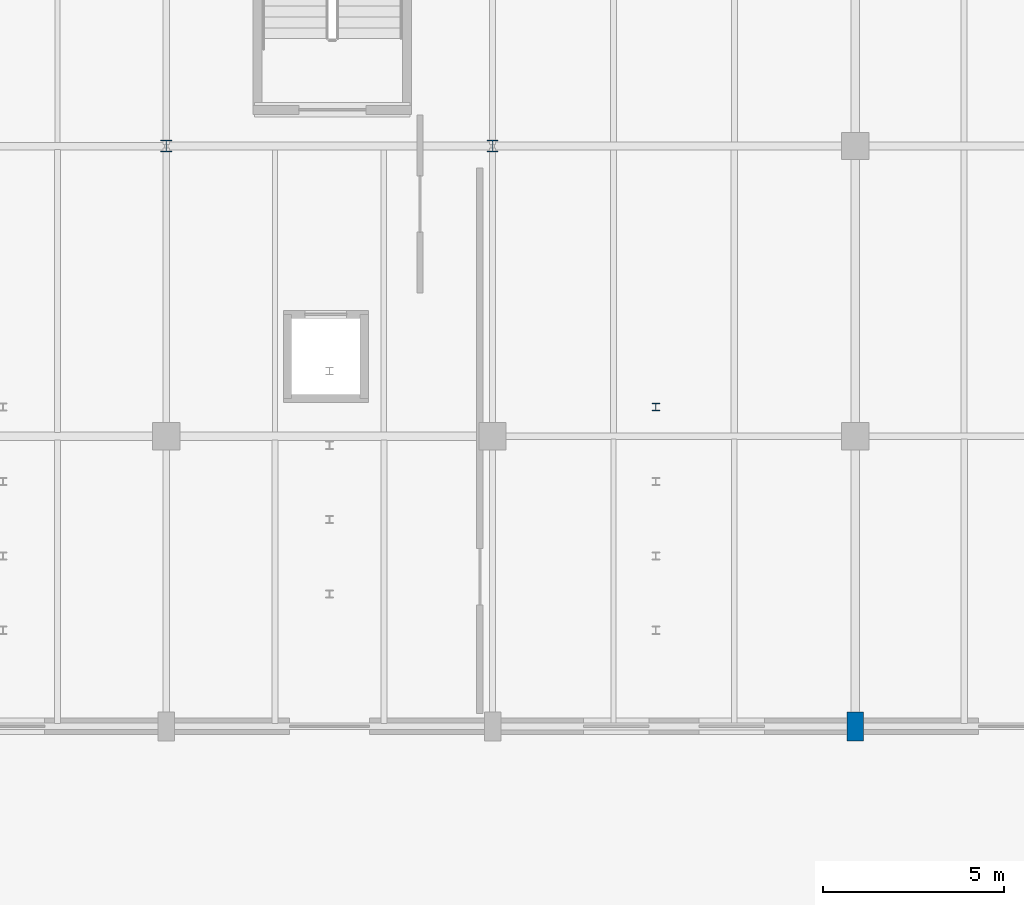
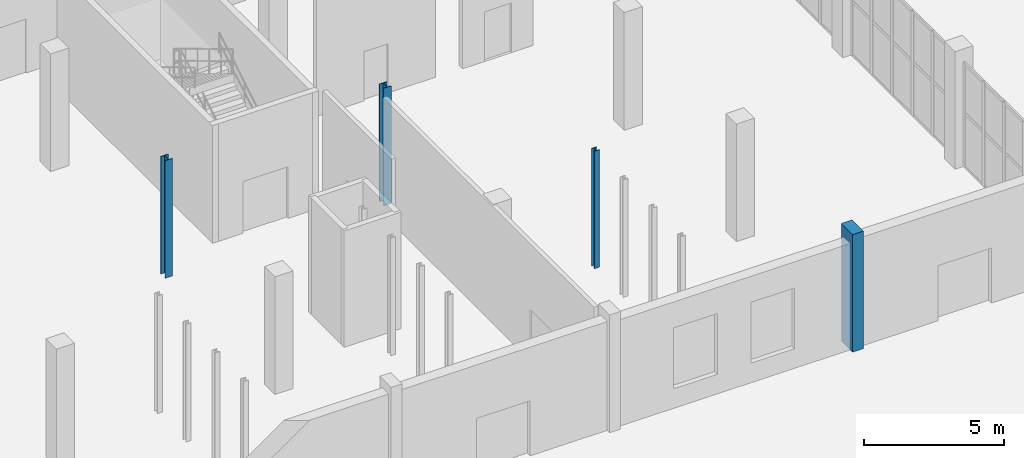
# One storey, part 4 of 103: 4 columns.
"""IFC4 building model written with IfcOpenShell, lengths in metres."""

from ifc_helpers import new_model, si_unit, direction, frame, origin, origin_2d, place, context, subcontext, project, spatial, rectangle, i_section, extrude, material, material_profile, profile_set, type_object, element, save


model = new_model("IFC4")

# Units and contexts
model_context = context("Model", 3, precision=1e-05, world=origin(), true_north=direction((0.0, 1.0)))
body_context = subcontext(model_context, "Body", "Model", "MODEL_VIEW")
ifc_project = project(units=[si_unit("LENGTHUNIT", "METRE"), si_unit("AREAUNIT", "SQUARE_METRE"), si_unit("VOLUMEUNIT", "CUBIC_METRE"), si_unit("PLANEANGLEUNIT", "RADIAN"), si_unit("MASSUNIT", "GRAM", prefix="KILO")], contexts=[model_context])

# Site, building, storey
site_placement = place(None, origin())
site = spatial("IfcSite", under=ifc_project, at=site_placement, CompositionType="ELEMENT")
building_placement = place(site_placement, origin())
building = spatial("IfcBuilding", under=site, at=building_placement, Name="Marnock Terrace Opera House", CompositionType="ELEMENT")
storey_placement = place(building_placement, origin())
storey = spatial("IfcBuildingStorey", under=building, at=storey_placement, Name="L00", CompositionType="ELEMENT", Elevation=0.0)

# Columns
ifc_material_1 = material(Name="Concrete N40 (f'c = 40 MPa)", Category="concrete")
ifc_material_profile_1 = material_profile(ifc_material_1, rectangle(XDim=0.449951171875, YDim=0.800048828125, at=origin_2d()))
ifc_profile_set_1 = profile_set([ifc_material_profile_1], Name="Concrete N40 (f'c = 40 MPa)")
column_type_1 = type_object("IfcColumnType", Name="COL-PIL-800", PredefinedType="PILASTER", material=ifc_profile_set_1)
column_1_placement = place(storey_placement, frame((37.0, 8.0, 0.0), z_axis=(0.0, 0.0, 1.0), x_axis=(1.0, 0.0, 0.0)))
element("IfcColumn", 1, at=column_1_placement, inside=storey, type_object=column_type_1, Name="L00 column at (37.0, 8.0)", PredefinedType="PILASTER", context=body_context, shape_type="SweptSolid", body=[
    extrude(rectangle(XDim=0.449951171875, YDim=0.800048828125, at=origin_2d()), origin(), (0.0, 0.0, 1.0), 5.1201171875),
])
ifc_material_2 = material(Name="Steel Grade 350 (AS/NZS 3679.1)", Category="steel")
ifc_material_profile_2 = material_profile(ifc_material_2, i_section(OverallWidth=0.205078125, OverallDepth=0.209716796875, WebThickness=0.00927734375, FlangeThickness=0.01416015625, FilletRadius=0.011474609375, at=origin_2d()))
ifc_profile_set_2 = profile_set([ifc_material_profile_2], Name="Steel Grade 350 (AS/NZS 3679.1)")
column_type_2 = type_object("IfcColumnType", Name="COL-UC200", PredefinedType="COLUMN", material=ifc_profile_set_2)
column_2_placement = place(storey_placement, frame((31.5, 16.800048828125, 0.0), z_axis=(0.0, 0.0, 1.0), x_axis=(1.0, 0.0, 0.0)))
element("IfcColumn", 2, at=column_2_placement, inside=storey, type_object=column_type_2, Name="L00 Chamber tier 4 support column E", PredefinedType="COLUMN", context=body_context, shape_type="SweptSolid", body=[
    extrude(i_section(OverallWidth=0.205078125, OverallDepth=0.209716796875, WebThickness=0.00927734375, FlangeThickness=0.01416015625, FilletRadius=0.011474609375, at=origin_2d()), origin(), (0.0, 0.0, 1.0), 5.1201171875),
])
ifc_material_profile_3 = material_profile(ifc_material_2, i_section(OverallWidth=0.31103515625, OverallDepth=0.3271484375, WebThickness=0.015625, FlangeThickness=0.02490234375, FilletRadius=0.0166015625, at=origin_2d()))
ifc_profile_set_3 = profile_set([ifc_material_profile_3], Name="Steel Grade 350 (AS/NZS 3679.1)")
column_type_3 = type_object("IfcColumnType", Name="COL-UC310A", PredefinedType="COLUMN", material=ifc_profile_set_3)
for number, where, z_axis, x_axis, name in (
    (3, (18.0, 24.0, 0.0), (0.0, 0.0, 1.0), (1.0, 0.0, 0.0), "L00 column at (18.0, 24.0)"),
    (4, (27.0, 24.0, 0.0), (0.0, 0.0, 1.0), (1.0, 0.0, 0.0), "L00 column at (27.0, 24.0)"),
):
    element("IfcColumn", number, at=place(storey_placement, frame(where, z_axis=z_axis, x_axis=x_axis)), inside=storey, type_object=column_type_3, Name=name, PredefinedType="COLUMN", context=body_context, shape_type="SweptSolid", body=[
        extrude(i_section(OverallWidth=0.31103515625, OverallDepth=0.3271484375, WebThickness=0.015625, FlangeThickness=0.02490234375, FilletRadius=0.0166015625, at=origin_2d()), origin(), (0.0, 0.0, 1.0), 5.1201171875),
    ])

save(model, "model.ifc")
